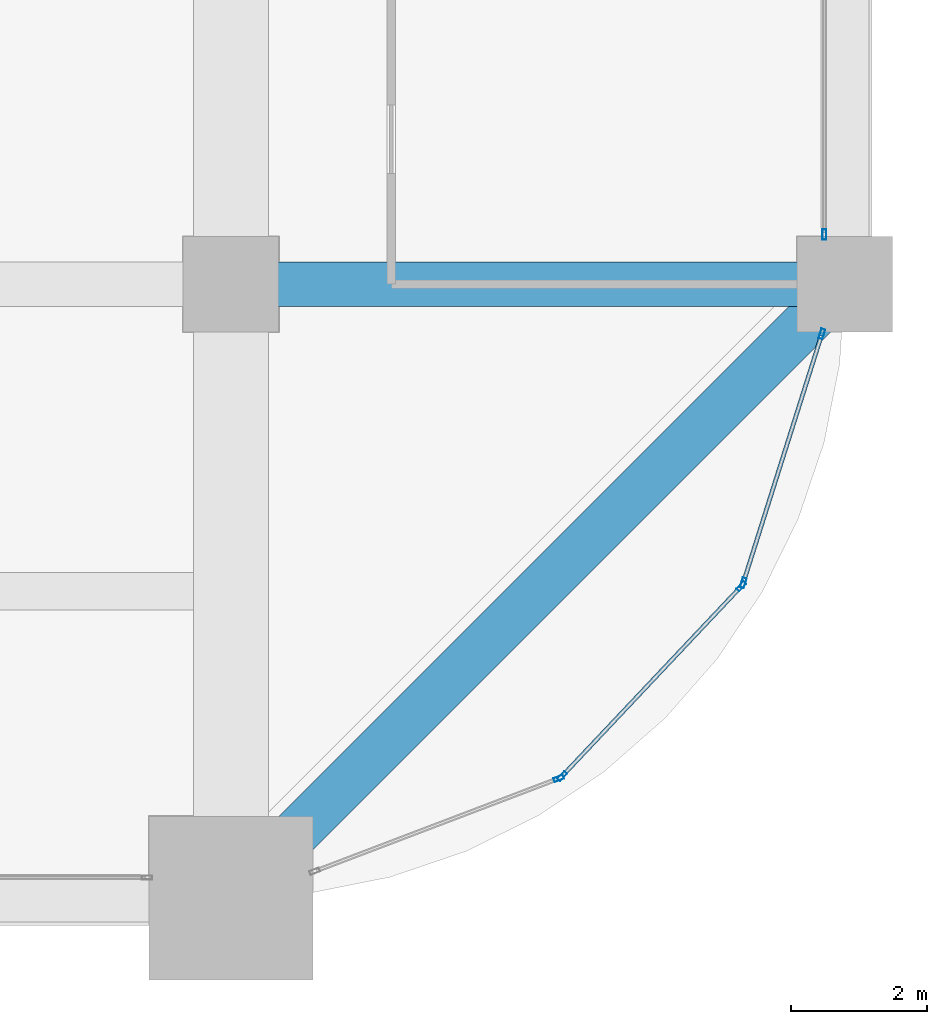
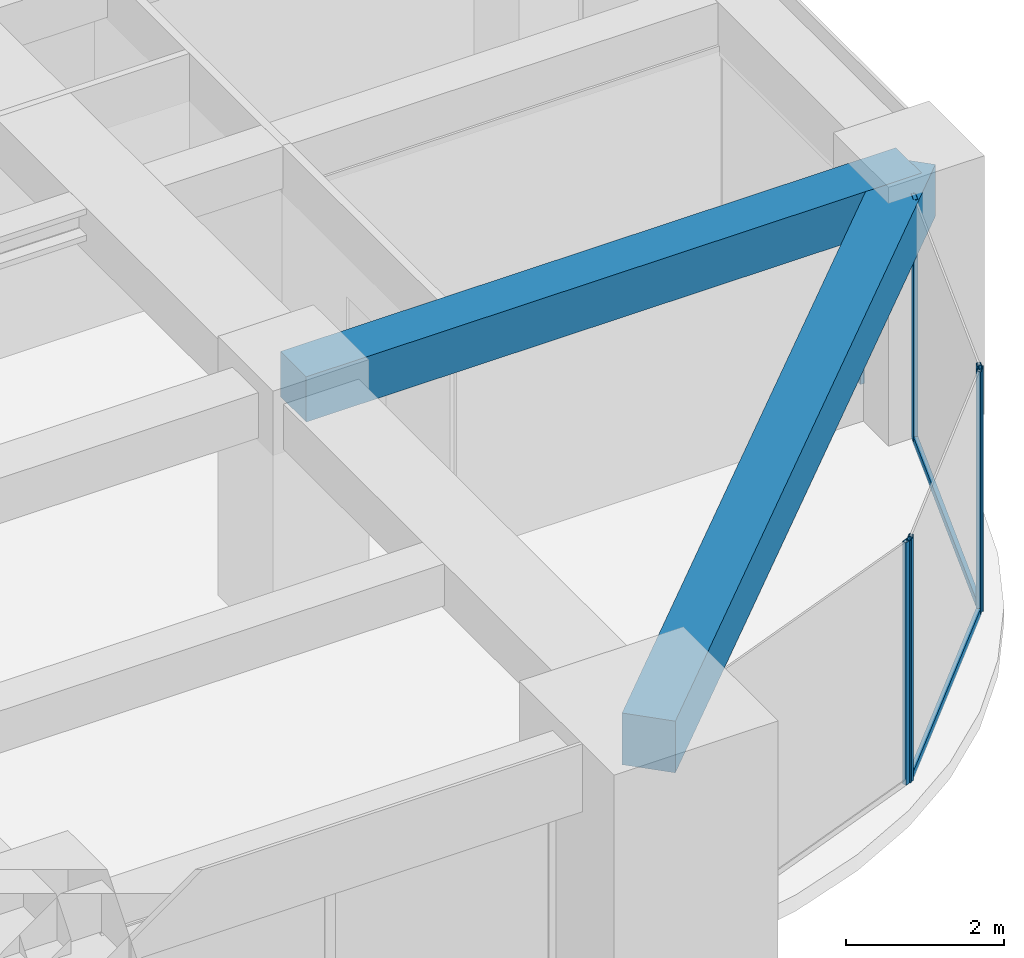
# One storey, part 16 of 32: 8 members, 2 beams, 4 elements without a shape of their own.
"""IFC4 building model written with IfcOpenShell, lengths in metres."""

from ifc_helpers import new_model, si_unit, direction, frame, origin, origin_2d, place, context, subcontext, project, spatial, rectangle, hollow_rectangle, extrude, material, material_profile, profile_set, type_object, element, aggregate, save


model = new_model("IFC4")

# Units and contexts
model_context = context("Model", 3, precision=1e-05, world=origin(), true_north=direction((0.0, 1.0)))
body_context = subcontext(model_context, "Body", "Model", "MODEL_VIEW")
ifc_project = project(units=[si_unit("LENGTHUNIT", "METRE"), si_unit("AREAUNIT", "SQUARE_METRE"), si_unit("VOLUMEUNIT", "CUBIC_METRE"), si_unit("PLANEANGLEUNIT", "RADIAN"), si_unit("MASSUNIT", "GRAM", prefix="KILO")], contexts=[model_context])

# Site, building, storey
site_placement = place(None, origin())
site = spatial("IfcSite", under=ifc_project, at=site_placement, CompositionType="ELEMENT")
building_placement = place(site_placement, origin())
building = spatial("IfcBuilding", under=site, at=building_placement, Name="Zorevar Civic Tower", CompositionType="ELEMENT")
storey_placement = place(building_placement, frame((0.0, 0.0, 202.199951171875)))
storey = spatial("IfcBuildingStorey", under=building, at=storey_placement, Name="L49", CompositionType="ELEMENT", Elevation=202.199951171875)

# Beam
ifc_material_1 = material(Name="Concrete C50/60", Category="concrete")
ifc_material_profile_1 = material_profile(ifc_material_1, rectangle(XDim=0.64990234375, YDim=0.699951171875, at=origin_2d()), Name="RC 650x700")
ifc_profile_set_1 = profile_set([ifc_material_profile_1], Name="Concrete C50/60")
beam_type_1 = type_object("IfcBeamType", Name="Beam RC 650x700", PredefinedType="BEAM", material=ifc_profile_set_1)
beam_1_placement = place(storey_placement, frame((45.0, 9.0, 3.400146484375), z_axis=(1.0, 0.0, 0.0), x_axis=(0.0, 1.0, 0.0)))
element("IfcBeam", 1, at=beam_1_placement, inside=storey, type_object=beam_type_1, Name="Girder L50", PredefinedType="BEAM", context=body_context, shape_type="SweptSolid", body=[
    extrude(rectangle(XDim=0.64990234375, YDim=0.699951171875, at=origin_2d()), origin(), (0.0, 0.0, 1.0), 9.0),
])

# Curtain wall, member
ifc_material_2 = material(Name="Dark grey solar-control glass in black aluminium frame", Category="aluminium")
curtain_wall_type = type_object("IfcCurtainWallType", Name="Curtain wall CW4 high zone", PredefinedType="NOTDEFINED", material=ifc_material_2)
curtain_wall_1_placement = place(storey_placement, origin())
curtain_wall_1 = element("IfcCurtainWall", 2, at=curtain_wall_1_placement, inside=storey, type_object=curtain_wall_type, Name="CW4 L49", PredefinedType="NOTDEFINED")
ifc_material_3 = material(Name="Aluminium, black anodised", Category="aluminium")
ifc_material_profile_2 = material_profile(ifc_material_3, hollow_rectangle(XDim=0.06005859375, YDim=0.14990234375, WallThickness=0.00390625, at=origin_2d()), Name="AL 150x60x4")
ifc_profile_set_2 = profile_set([ifc_material_profile_2], Name="Aluminium, black anodised")
member_type_1 = type_object("IfcMemberType", Name="CW4 mullion AL 150x60x4", PredefinedType="MULLION", material=ifc_profile_set_2)
member_1_placement = place(storey_placement, frame((53.699951171875, 9.72998046875, 0.0), z_axis=(0.0, 0.0, 1.0), x_axis=(-1.0, 0.0, 0.0)))
member_1 = element("IfcMember", 3, at=member_1_placement, type_object=member_type_1, Name="CW4 mullion 1", PredefinedType="MULLION", context=body_context, shape_type="SweptSolid", body=[
    extrude(hollow_rectangle(XDim=0.06005859375, YDim=0.14990234375, WallThickness=0.00390625, at=origin_2d()), origin(), (0.0, 0.0, 1.0), 2.949951171875),
])
aggregate(curtain_wall_1, [member_1])

curtain_wall_2_placement = place(storey_placement, origin())
curtain_wall_2 = element("IfcCurtainWall", 4, at=curtain_wall_2_placement, inside=storey, type_object=curtain_wall_type, Name="CW4 L49", PredefinedType="NOTDEFINED")
member_2_placement = place(storey_placement, frame((49.804931640625, 1.75537109375, 0.0), z_axis=(0.0, 0.0, 1.0), x_axis=(-0.355730895803, 0.93458842801, 0.0)))
member_2 = element("IfcMember", 5, at=member_2_placement, type_object=member_type_1, Name="CW4 mullion 2", PredefinedType="MULLION", context=body_context, shape_type="SweptSolid", body=[
    extrude(hollow_rectangle(XDim=0.06005859375, YDim=0.14990234375, WallThickness=0.00390625, at=origin_2d()), origin(), (0.0, 0.0, 1.0), 3.75),
])
aggregate(curtain_wall_2, [member_2])

# Curtain wall, members
curtain_wall_3_placement = place(storey_placement, origin())
curtain_wall_3 = element("IfcCurtainWall", 6, at=curtain_wall_3_placement, inside=storey, type_object=curtain_wall_type, Name="CW4 L49", PredefinedType="NOTDEFINED")
member_3_placement = place(storey_placement, frame((49.853759765625, 1.787841796875, 0.0), z_axis=(0.0, 0.0, 1.0), x_axis=(-0.727245053898, 0.686377907265, 0.0)))
member_3 = element("IfcMember", 7, at=member_3_placement, type_object=member_type_1, Name="CW4 mullion 1", PredefinedType="MULLION", context=body_context, shape_type="SweptSolid", body=[
    extrude(hollow_rectangle(XDim=0.06005859375, YDim=0.14990234375, WallThickness=0.00390625, at=origin_2d()), origin(), (0.0, 0.0, 1.0), 3.75),
])
member_4_placement = place(storey_placement, frame((52.480712890625, 4.5712890625, 0.0), z_axis=(0.0, 0.0, 1.0), x_axis=(-0.727245053898, 0.686377907265, 0.0)))
member_4 = element("IfcMember", 8, at=member_4_placement, type_object=member_type_1, Name="CW4 mullion 2", PredefinedType="MULLION", context=body_context, shape_type="SweptSolid", body=[
    extrude(hollow_rectangle(XDim=0.06005859375, YDim=0.14990234375, WallThickness=0.00390625, at=origin_2d()), origin(), (0.0, 0.0, 1.0), 3.75),
])

curtain_wall_4_placement = place(storey_placement, origin())
curtain_wall_4 = element("IfcCurtainWall", 9, at=curtain_wall_4_placement, inside=storey, type_object=curtain_wall_type, Name="CW4 L49", PredefinedType="NOTDEFINED")
member_5_placement = place(storey_placement, frame((52.51025390625, 4.62158203125, 0.0), z_axis=(0.0, 0.0, 1.0), x_axis=(-0.953589950678, 0.301108296077, 0.0)))
member_5 = element("IfcMember", 10, at=member_5_placement, type_object=member_type_1, Name="CW4 mullion 1", PredefinedType="MULLION", context=body_context, shape_type="SweptSolid", body=[
    extrude(hollow_rectangle(XDim=0.06005859375, YDim=0.14990234375, WallThickness=0.00390625, at=origin_2d()), origin(), (0.0, 0.0, 1.0), 3.75),
])
member_6_placement = place(storey_placement, frame((53.66259765625, 8.271484375, 0.0), z_axis=(0.0, 0.0, 1.0), x_axis=(-0.953589950678, 0.301108296077, 0.0)))
member_6 = element("IfcMember", 11, at=member_6_placement, type_object=member_type_1, Name="CW4 mullion 2", PredefinedType="MULLION", context=body_context, shape_type="SweptSolid", body=[
    extrude(hollow_rectangle(XDim=0.06005859375, YDim=0.14990234375, WallThickness=0.00390625, at=origin_2d()), origin(), (0.0, 0.0, 1.0), 3.75),
])

# Member
ifc_material_4 = material(Name="Aluminium, black anodised", Category="aluminium")
ifc_material_profile_3 = material_profile(ifc_material_4, hollow_rectangle(XDim=0.06005859375, YDim=0.1201171875, WallThickness=0.0029296875, at=origin_2d()), Name="AL 120x60x3")
ifc_profile_set_3 = profile_set([ifc_material_profile_3], Name="Aluminium, black anodised")
member_type_2 = type_object("IfcMemberType", Name="CW4 transom AL 120x60x3", PredefinedType="USERDEFINED", material=ifc_profile_set_3)
member_7_placement = place(storey_placement, frame((49.874267578125, 1.8095703125, 0.030029296875), z_axis=(0.686332338526, 0.727288059227, 0.0), x_axis=(-0.727288059227, 0.686332338526, 0.0)))
member_7 = element("IfcMember", 12, at=member_7_placement, type_object=member_type_2, Name="CW4 sill transom", ObjectType="TRANSOM", PredefinedType="USERDEFINED", context=body_context, shape_type="SweptSolid", body=[
    extrude(hollow_rectangle(XDim=0.06005859375, YDim=0.1201171875, WallThickness=0.0029296875, at=origin_2d()), origin(), (0.0, 0.0, 1.0), 3.767333984375),
])

aggregate(curtain_wall_3, [member_3, member_4, member_7])

member_8_placement = place(storey_placement, frame((52.519287109375, 4.650390625, 0.030029296875), z_axis=(0.301100351109, 0.953592459367, 0.0), x_axis=(-0.953592459367, 0.301100351109, 0.0)))
member_8 = element("IfcMember", 13, at=member_8_placement, type_object=member_type_2, Name="CW4 sill transom", ObjectType="TRANSOM", PredefinedType="USERDEFINED", context=body_context, shape_type="SweptSolid", body=[
    extrude(hollow_rectangle(XDim=0.06005859375, YDim=0.1201171875, WallThickness=0.0029296875, at=origin_2d()), origin(), (0.0, 0.0, 1.0), 3.76708984375),
])

aggregate(curtain_wall_4, [member_5, member_6, member_8])

# Beam
ifc_material_5 = material(Name="Concrete C50/60", Category="concrete")
ifc_material_profile_4 = material_profile(ifc_material_5, rectangle(XDim=0.699951171875, YDim=0.800048828125, at=origin_2d()), Name="RC 700x800")
ifc_profile_set_4 = profile_set([ifc_material_profile_4], Name="Concrete C50/60")
beam_type_2 = type_object("IfcBeamType", Name="Edge beam RC 700x800", PredefinedType="SPANDREL", material=ifc_profile_set_4)
beam_2_placement = place(storey_placement, frame((45.0, 0.0, 3.35009765625), z_axis=(0.707106781187, 0.707106781187, 0.0), x_axis=(-0.707106781187, 0.707106781187, 0.0)))
element("IfcBeam", 14, at=beam_2_placement, inside=storey, type_object=beam_type_2, Name="Corner edge beam L50", PredefinedType="SPANDREL", context=body_context, shape_type="SweptSolid", body=[
    extrude(rectangle(XDim=0.699951171875, YDim=0.800048828125, at=origin_2d()), origin(), (0.0, 0.0, 1.0), 12.72802734375),
])

save(model, "model.ifc")
